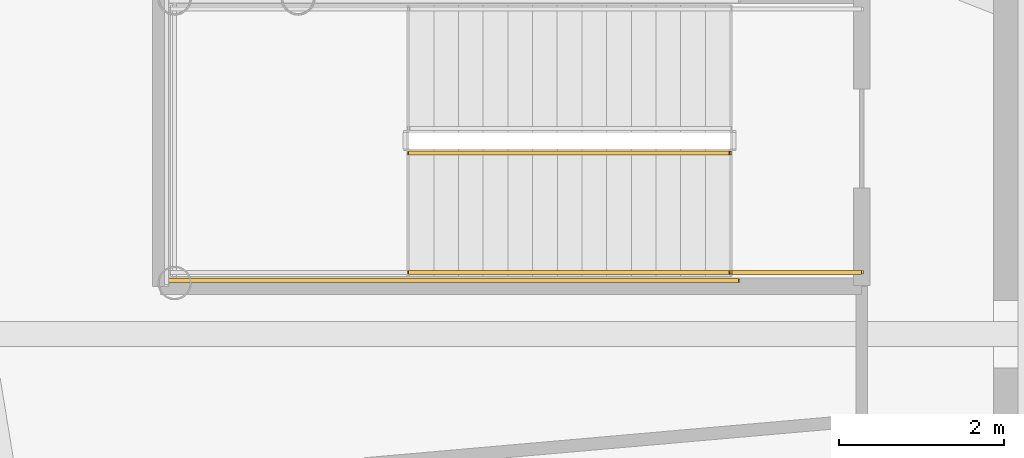
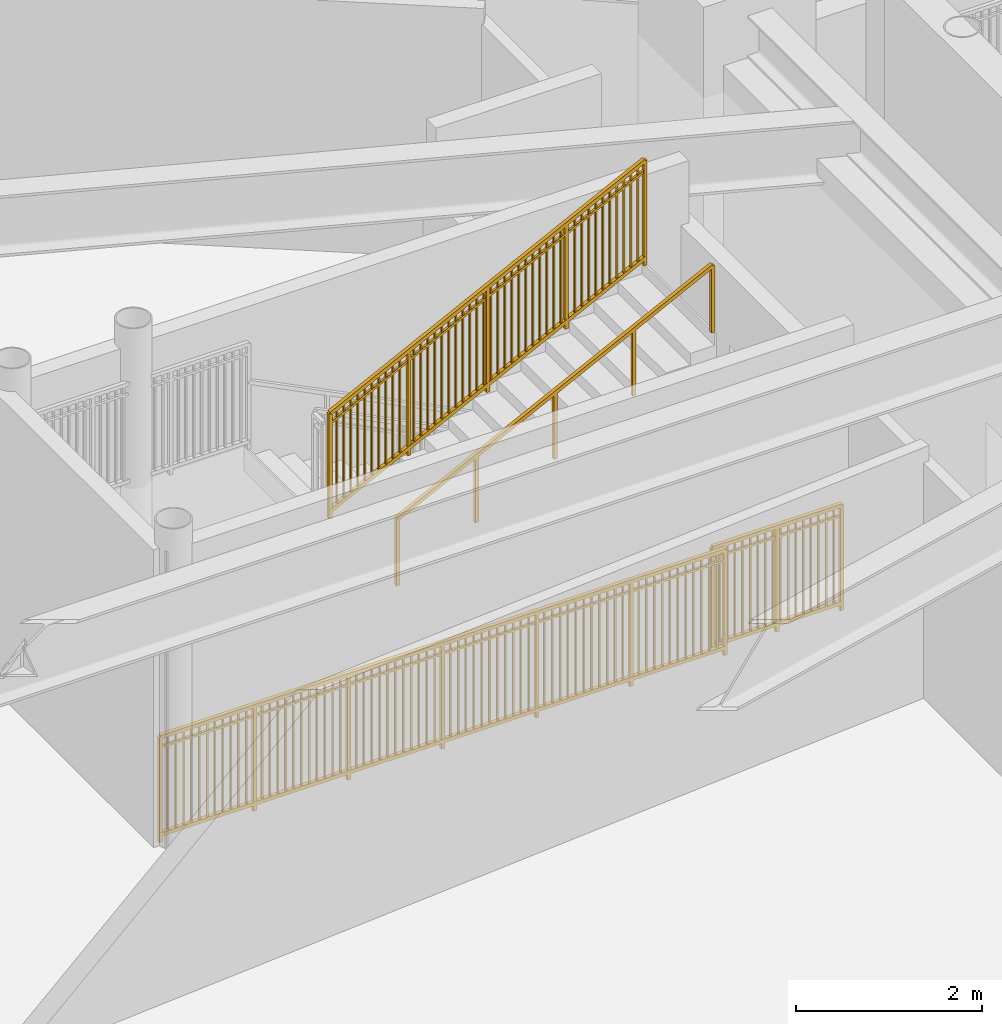
# One storey, part 22 of 31: 4 railings.
"""IFC4 building model written with IfcOpenShell, lengths in metres."""

from ifc_helpers import new_model, si_unit, direction, frame, origin, origin_2d, place, context, subcontext, project, spatial, rectangle, extrude, source, transform, mapped, material, type_object, element, save


model = new_model("IFC4")

# Units and contexts
model_context = context("Model", 3, precision=1e-05, world=origin(), true_north=direction((0.0, 1.0)))
body_context = subcontext(model_context, "Body", "Model", "MODEL_VIEW")
ifc_project = project(units=[si_unit("LENGTHUNIT", "METRE"), si_unit("AREAUNIT", "SQUARE_METRE"), si_unit("VOLUMEUNIT", "CUBIC_METRE"), si_unit("PLANEANGLEUNIT", "RADIAN"), si_unit("MASSUNIT", "GRAM", prefix="KILO")], contexts=[model_context])

# Site, building, storey
site_placement = place(None, origin())
site = spatial("IfcSite", under=ifc_project, at=site_placement, CompositionType="ELEMENT")
building_placement = place(site_placement, origin())
building = spatial("IfcBuilding", under=site, at=building_placement, Name="Linh Dai School and Residence Tower", CompositionType="ELEMENT")
storey_placement = place(building_placement, frame((0.0, 0.0, 6.0)))
storey = spatial("IfcBuildingStorey", under=building, at=storey_placement, Name="L01", CompositionType="ELEMENT", Elevation=6.0)

# Railings
ifc_material_1 = material(Name="Structural Steel S355JR", Category="steel")
railing_type_1 = type_object("IfcRailingType", Name="RL-ST-GUARD-1400", PredefinedType="GUARDRAIL", material=ifc_material_1)
shared_shape_1 = source(origin(), body_context, "Body", "SweptSolid", [
    extrude(rectangle(XDim=0.048095703125, YDim=0.048095703125, at=origin_2d()), frame((0.0, 0.0, 1.3759765625), z_axis=(-1.0, 0.0, 0.0), x_axis=(0.0, -1.0, 0.0)), (0.0, 0.0, 1.0), 1.60009765625),
    extrude(rectangle(XDim=0.048095703125, YDim=0.048095703125, at=origin_2d()), frame((0.0, 0.0, 0.10009765625), z_axis=(-1.0, 0.0, 0.0), x_axis=(0.0, -1.0, 0.0)), (0.0, 0.0, 1.0), 1.60009765625),
    extrude(rectangle(XDim=0.030029296875, YDim=0.030029296875, at=origin_2d()), frame((0.0, 0.0, 1.239990234375), z_axis=(-1.0, 0.0, 0.0), x_axis=(0.0, -1.0, 0.0)), (0.0, 0.0, 1.0), 1.60009765625),
    extrude(rectangle(XDim=0.02001953125, YDim=0.02001953125, at=origin_2d()), frame((-0.09423828125, 0.0, 0.10009765625)), (0.0, 0.0, 1.0), 1.251708984375),
    extrude(rectangle(XDim=0.02001953125, YDim=0.02001953125, at=origin_2d()), frame((-0.188232421875, 0.0, 0.10009765625)), (0.0, 0.0, 1.0), 1.251708984375),
    extrude(rectangle(XDim=0.02001953125, YDim=0.02001953125, at=origin_2d()), frame((-0.282470703125, 0.0, 0.10009765625)), (0.0, 0.0, 1.0), 1.251708984375),
    extrude(rectangle(XDim=0.02001953125, YDim=0.02001953125, at=origin_2d()), frame((-0.37646484375, 0.0, 0.10009765625)), (0.0, 0.0, 1.0), 1.251708984375),
    extrude(rectangle(XDim=0.02001953125, YDim=0.02001953125, at=origin_2d()), frame((-0.470703125, 0.0, 0.10009765625)), (0.0, 0.0, 1.0), 1.251708984375),
    extrude(rectangle(XDim=0.02001953125, YDim=0.02001953125, at=origin_2d()), frame((-0.564697265625, 0.0, 0.10009765625)), (0.0, 0.0, 1.0), 1.251708984375),
    extrude(rectangle(XDim=0.02001953125, YDim=0.02001953125, at=origin_2d()), frame((-0.658935546875, 0.0, 0.10009765625)), (0.0, 0.0, 1.0), 1.251708984375),
    extrude(rectangle(XDim=0.02001953125, YDim=0.02001953125, at=origin_2d()), frame((-0.7529296875, 0.0, 0.10009765625)), (0.0, 0.0, 1.0), 1.251708984375),
    extrude(rectangle(XDim=0.02001953125, YDim=0.02001953125, at=origin_2d()), frame((-0.84716796875, 0.0, 0.10009765625)), (0.0, 0.0, 1.0), 1.251708984375),
    extrude(rectangle(XDim=0.02001953125, YDim=0.02001953125, at=origin_2d()), frame((-0.941162109375, 0.0, 0.10009765625)), (0.0, 0.0, 1.0), 1.251708984375),
    extrude(rectangle(XDim=0.02001953125, YDim=0.02001953125, at=origin_2d()), frame((-1.035400390625, 0.0, 0.10009765625)), (0.0, 0.0, 1.0), 1.251708984375),
    extrude(rectangle(XDim=0.02001953125, YDim=0.02001953125, at=origin_2d()), frame((-1.12939453125, 0.0, 0.10009765625)), (0.0, 0.0, 1.0), 1.251708984375),
    extrude(rectangle(XDim=0.02001953125, YDim=0.02001953125, at=origin_2d()), frame((-1.2236328125, 0.0, 0.10009765625)), (0.0, 0.0, 1.0), 1.251708984375),
    extrude(rectangle(XDim=0.02001953125, YDim=0.02001953125, at=origin_2d()), frame((-1.317626953125, 0.0, 0.10009765625)), (0.0, 0.0, 1.0), 1.251708984375),
    extrude(rectangle(XDim=0.02001953125, YDim=0.02001953125, at=origin_2d()), frame((-1.411865234375, 0.0, 0.10009765625)), (0.0, 0.0, 1.0), 1.251708984375),
    extrude(rectangle(XDim=0.02001953125, YDim=0.02001953125, at=origin_2d()), frame((-1.505859375, 0.0, 0.10009765625)), (0.0, 0.0, 1.0), 1.251708984375),
    extrude(rectangle(XDim=0.0419921875, YDim=0.0419921875, at=origin_2d()), origin(), (0.0, 0.0, 1.0), 1.3759765625),
    extrude(rectangle(XDim=0.0419921875, YDim=0.0419921875, at=origin_2d()), frame((-0.800048828125, 0.0, 0.0)), (0.0, 0.0, 1.0), 1.3759765625),
    extrude(rectangle(XDim=0.0419921875, YDim=0.0419921875, at=origin_2d()), frame((-1.60009765625, 0.0, 0.0)), (0.0, 0.0, 1.0), 1.3759765625),
])
railing_1_placement = place(storey_placement, frame((24.0, 27.75, 0.0)))
element("IfcRailing", 1, at=railing_1_placement, inside=storey, type_object=railing_type_1, Name="L01 STS1 stair guard 9", PredefinedType="GUARDRAIL", context=body_context, shape_type="MappedRepresentation", body=[
    mapped(shared_shape_1, transform((0.0, 0.0, 0.0), x_axis=(1.0, 0.0, 0.0), y_axis=(0.0, 1.0, 0.0), z_axis=(0.0, 0.0, 1.0), scale=1.0)),
])
shared_shape_2 = source(origin(), body_context, "Body", "SweptSolid", [
    extrude(rectangle(XDim=0.048095703125, YDim=0.048095703125, at=origin_2d()), frame((0.0, 0.0, 1.3759765625), z_axis=(0.894427191, 0.0, 0.4472135955), x_axis=(0.0, 1.0, 0.0)), (0.0, 0.0, 1.0), 4.360107421875),
    extrude(rectangle(XDim=0.048095703125, YDim=0.048095703125, at=origin_2d()), frame((0.0, 0.0, 0.10009765625), z_axis=(0.894427191, 0.0, 0.4472135955), x_axis=(0.0, 1.0, 0.0)), (0.0, 0.0, 1.0), 4.360107421875),
    extrude(rectangle(XDim=0.030029296875, YDim=0.030029296875, at=origin_2d()), frame((0.0, 0.0, 1.239990234375), z_axis=(0.894427191, 0.0, 0.4472135955), x_axis=(0.0, 1.0, 0.0)), (0.0, 0.0, 1.0), 4.360107421875),
    extrude(rectangle(XDim=0.02001953125, YDim=0.02001953125, at=origin_2d()), frame((0.086669921875, 0.0, 0.143310546875)), (0.0, 0.0, 1.0), 1.251708984375),
    extrude(rectangle(XDim=0.02001953125, YDim=0.02001953125, at=origin_2d()), frame((0.17333984375, 0.0, 0.186767578125)), (0.0, 0.0, 1.0), 1.251708984375),
    extrude(rectangle(XDim=0.02001953125, YDim=0.02001953125, at=origin_2d()), frame((0.260009765625, 0.0, 0.22998046875)), (0.0, 0.0, 1.0), 1.251708984375),
    extrude(rectangle(XDim=0.02001953125, YDim=0.02001953125, at=origin_2d()), frame((0.3466796875, 0.0, 0.2734375)), (0.0, 0.0, 1.0), 1.251708984375),
    extrude(rectangle(XDim=0.02001953125, YDim=0.02001953125, at=origin_2d()), frame((0.433349609375, 0.0, 0.316650390625)), (0.0, 0.0, 1.0), 1.251708984375),
    extrude(rectangle(XDim=0.02001953125, YDim=0.02001953125, at=origin_2d()), frame((0.52001953125, 0.0, 0.360107421875)), (0.0, 0.0, 1.0), 1.251708984375),
    extrude(rectangle(XDim=0.02001953125, YDim=0.02001953125, at=origin_2d()), frame((0.606689453125, 0.0, 0.4033203125)), (0.0, 0.0, 1.0), 1.251708984375),
    extrude(rectangle(XDim=0.02001953125, YDim=0.02001953125, at=origin_2d()), frame((0.693359375, 0.0, 0.44677734375)), (0.0, 0.0, 1.0), 1.251708984375),
    extrude(rectangle(XDim=0.02001953125, YDim=0.02001953125, at=origin_2d()), frame((0.780029296875, 0.0, 0.489990234375)), (0.0, 0.0, 1.0), 1.251708984375),
    extrude(rectangle(XDim=0.02001953125, YDim=0.02001953125, at=origin_2d()), frame((0.86669921875, 0.0, 0.533447265625)), (0.0, 0.0, 1.0), 1.251708984375),
    extrude(rectangle(XDim=0.02001953125, YDim=0.02001953125, at=origin_2d()), frame((1.0400390625, 0.0, 0.6201171875)), (0.0, 0.0, 1.0), 1.251708984375),
    extrude(rectangle(XDim=0.02001953125, YDim=0.02001953125, at=origin_2d()), frame((1.126708984375, 0.0, 0.663330078125)), (0.0, 0.0, 1.0), 1.251708984375),
    extrude(rectangle(XDim=0.02001953125, YDim=0.02001953125, at=origin_2d()), frame((1.21337890625, 0.0, 0.706787109375)), (0.0, 0.0, 1.0), 1.251708984375),
    extrude(rectangle(XDim=0.02001953125, YDim=0.02001953125, at=origin_2d()), frame((1.300048828125, 0.0, 0.75)), (0.0, 0.0, 1.0), 1.251708984375),
    extrude(rectangle(XDim=0.02001953125, YDim=0.02001953125, at=origin_2d()), frame((1.38671875, 0.0, 0.79345703125)), (0.0, 0.0, 1.0), 1.251708984375),
    extrude(rectangle(XDim=0.02001953125, YDim=0.02001953125, at=origin_2d()), frame((1.473388671875, 0.0, 0.836669921875)), (0.0, 0.0, 1.0), 1.251708984375),
    extrude(rectangle(XDim=0.02001953125, YDim=0.02001953125, at=origin_2d()), frame((1.56005859375, 0.0, 0.880126953125)), (0.0, 0.0, 1.0), 1.251708984375),
    extrude(rectangle(XDim=0.02001953125, YDim=0.02001953125, at=origin_2d()), frame((1.646728515625, 0.0, 0.92333984375)), (0.0, 0.0, 1.0), 1.251708984375),
    extrude(rectangle(XDim=0.02001953125, YDim=0.02001953125, at=origin_2d()), frame((1.7333984375, 0.0, 0.966796875)), (0.0, 0.0, 1.0), 1.251708984375),
    extrude(rectangle(XDim=0.02001953125, YDim=0.02001953125, at=origin_2d()), frame((1.820068359375, 0.0, 1.010009765625)), (0.0, 0.0, 1.0), 1.251708984375),
    extrude(rectangle(XDim=0.02001953125, YDim=0.02001953125, at=origin_2d()), frame((1.90673828125, 0.0, 1.053466796875)), (0.0, 0.0, 1.0), 1.251708984375),
    extrude(rectangle(XDim=0.02001953125, YDim=0.02001953125, at=origin_2d()), frame((1.9931640625, 0.0, 1.0966796875)), (0.0, 0.0, 1.0), 1.251708984375),
    extrude(rectangle(XDim=0.02001953125, YDim=0.02001953125, at=origin_2d()), frame((2.079833984375, 0.0, 1.14013671875)), (0.0, 0.0, 1.0), 1.251708984375),
    extrude(rectangle(XDim=0.02001953125, YDim=0.02001953125, at=origin_2d()), frame((2.16650390625, 0.0, 1.183349609375)), (0.0, 0.0, 1.0), 1.251708984375),
    extrude(rectangle(XDim=0.02001953125, YDim=0.02001953125, at=origin_2d()), frame((2.253173828125, 0.0, 1.226806640625)), (0.0, 0.0, 1.0), 1.251708984375),
    extrude(rectangle(XDim=0.02001953125, YDim=0.02001953125, at=origin_2d()), frame((2.33984375, 0.0, 1.27001953125)), (0.0, 0.0, 1.0), 1.251708984375),
    extrude(rectangle(XDim=0.02001953125, YDim=0.02001953125, at=origin_2d()), frame((2.426513671875, 0.0, 1.3134765625)), (0.0, 0.0, 1.0), 1.251708984375),
    extrude(rectangle(XDim=0.02001953125, YDim=0.02001953125, at=origin_2d()), frame((2.51318359375, 0.0, 1.356689453125)), (0.0, 0.0, 1.0), 1.251708984375),
    extrude(rectangle(XDim=0.02001953125, YDim=0.02001953125, at=origin_2d()), frame((2.599853515625, 0.0, 1.400146484375)), (0.0, 0.0, 1.0), 1.251708984375),
    extrude(rectangle(XDim=0.02001953125, YDim=0.02001953125, at=origin_2d()), frame((2.6865234375, 0.0, 1.443359375)), (0.0, 0.0, 1.0), 1.251708984375),
    extrude(rectangle(XDim=0.02001953125, YDim=0.02001953125, at=origin_2d()), frame((2.773193359375, 0.0, 1.48681640625)), (0.0, 0.0, 1.0), 1.251708984375),
    extrude(rectangle(XDim=0.02001953125, YDim=0.02001953125, at=origin_2d()), frame((2.85986328125, 0.0, 1.530029296875)), (0.0, 0.0, 1.0), 1.251708984375),
    extrude(rectangle(XDim=0.02001953125, YDim=0.02001953125, at=origin_2d()), frame((3.033203125, 0.0, 1.61669921875)), (0.0, 0.0, 1.0), 1.251708984375),
    extrude(rectangle(XDim=0.02001953125, YDim=0.02001953125, at=origin_2d()), frame((3.119873046875, 0.0, 1.66015625)), (0.0, 0.0, 1.0), 1.251708984375),
    extrude(rectangle(XDim=0.02001953125, YDim=0.02001953125, at=origin_2d()), frame((3.20654296875, 0.0, 1.703369140625)), (0.0, 0.0, 1.0), 1.251708984375),
    extrude(rectangle(XDim=0.02001953125, YDim=0.02001953125, at=origin_2d()), frame((3.293212890625, 0.0, 1.746826171875)), (0.0, 0.0, 1.0), 1.251708984375),
    extrude(rectangle(XDim=0.02001953125, YDim=0.02001953125, at=origin_2d()), frame((3.3798828125, 0.0, 1.7900390625)), (0.0, 0.0, 1.0), 1.251708984375),
    extrude(rectangle(XDim=0.02001953125, YDim=0.02001953125, at=origin_2d()), frame((3.466552734375, 0.0, 1.83349609375)), (0.0, 0.0, 1.0), 1.251708984375),
    extrude(rectangle(XDim=0.02001953125, YDim=0.02001953125, at=origin_2d()), frame((3.55322265625, 0.0, 1.876708984375)), (0.0, 0.0, 1.0), 1.251708984375),
    extrude(rectangle(XDim=0.02001953125, YDim=0.02001953125, at=origin_2d()), frame((3.639892578125, 0.0, 1.920166015625)), (0.0, 0.0, 1.0), 1.251708984375),
    extrude(rectangle(XDim=0.02001953125, YDim=0.02001953125, at=origin_2d()), frame((3.7265625, 0.0, 1.96337890625)), (0.0, 0.0, 1.0), 1.251708984375),
    extrude(rectangle(XDim=0.02001953125, YDim=0.02001953125, at=origin_2d()), frame((3.813232421875, 0.0, 2.0068359375)), (0.0, 0.0, 1.0), 1.251708984375),
    extrude(rectangle(XDim=0.0419921875, YDim=0.0419921875, at=origin_2d()), origin(), (0.0, 0.0, 1.0), 1.3759765625),
    extrude(rectangle(XDim=0.0419921875, YDim=0.0419921875, at=origin_2d()), frame((0.97509765625, 0.0, 0.487548828125)), (0.0, 0.0, 1.0), 1.3759765625),
    extrude(rectangle(XDim=0.0419921875, YDim=0.0419921875, at=origin_2d()), frame((1.949951171875, 0.0, 0.97509765625)), (0.0, 0.0, 1.0), 1.3759765625),
    extrude(rectangle(XDim=0.0419921875, YDim=0.0419921875, at=origin_2d()), frame((2.9248046875, 0.0, 1.46240234375)), (0.0, 0.0, 1.0), 1.3759765625),
    extrude(rectangle(XDim=0.0419921875, YDim=0.0419921875, at=origin_2d()), frame((3.89990234375, 0.0, 1.949951171875)), (0.0, 0.0, 1.0), 1.3759765625),
])
railing_2_placement = place(storey_placement, frame((18.5, 29.199951171875, 2.25)))
element("IfcRailing", 2, at=railing_2_placement, inside=storey, type_object=railing_type_1, Name="L01 STS1 stair guard 6", PredefinedType="GUARDRAIL", context=body_context, shape_type="MappedRepresentation", body=[
    mapped(shared_shape_2, transform((0.0, 0.0, 0.0), x_axis=(1.0, 0.0, 0.0), y_axis=(0.0, 1.0, 0.0), z_axis=(0.0, 0.0, 1.0), scale=1.0)),
])
shared_shape_3 = source(origin(), body_context, "Body", "SweptSolid", [
    extrude(rectangle(XDim=0.048095703125, YDim=0.048095703125, at=origin_2d()), frame((0.0, 0.0, 1.3759765625), z_axis=(-1.0, 0.0, 0.0), x_axis=(0.0, -1.0, 0.0)), (0.0, 0.0, 1.0), 7.0),
    extrude(rectangle(XDim=0.048095703125, YDim=0.048095703125, at=origin_2d()), frame((0.0, 0.0, 0.10009765625), z_axis=(-1.0, 0.0, 0.0), x_axis=(0.0, -1.0, 0.0)), (0.0, 0.0, 1.0), 7.0),
    extrude(rectangle(XDim=0.030029296875, YDim=0.030029296875, at=origin_2d()), frame((0.0, 0.0, 1.239990234375), z_axis=(-1.0, 0.0, 0.0), x_axis=(0.0, -1.0, 0.0)), (0.0, 0.0, 1.0), 7.0),
    extrude(rectangle(XDim=0.02001953125, YDim=0.02001953125, at=origin_2d()), frame((-0.09716796875, 0.0, 0.10009765625)), (0.0, 0.0, 1.0), 1.251708984375),
    extrude(rectangle(XDim=0.02001953125, YDim=0.02001953125, at=origin_2d()), frame((-0.1943359375, 0.0, 0.10009765625)), (0.0, 0.0, 1.0), 1.251708984375),
    extrude(rectangle(XDim=0.02001953125, YDim=0.02001953125, at=origin_2d()), frame((-0.291748046875, 0.0, 0.10009765625)), (0.0, 0.0, 1.0), 1.251708984375),
    extrude(rectangle(XDim=0.02001953125, YDim=0.02001953125, at=origin_2d()), frame((-0.388916015625, 0.0, 0.10009765625)), (0.0, 0.0, 1.0), 1.251708984375),
    extrude(rectangle(XDim=0.02001953125, YDim=0.02001953125, at=origin_2d()), frame((-0.486083984375, 0.0, 0.10009765625)), (0.0, 0.0, 1.0), 1.251708984375),
    extrude(rectangle(XDim=0.02001953125, YDim=0.02001953125, at=origin_2d()), frame((-0.583251953125, 0.0, 0.10009765625)), (0.0, 0.0, 1.0), 1.251708984375),
    extrude(rectangle(XDim=0.02001953125, YDim=0.02001953125, at=origin_2d()), frame((-0.6806640625, 0.0, 0.10009765625)), (0.0, 0.0, 1.0), 1.251708984375),
    extrude(rectangle(XDim=0.02001953125, YDim=0.02001953125, at=origin_2d()), frame((-0.77783203125, 0.0, 0.10009765625)), (0.0, 0.0, 1.0), 1.251708984375),
    extrude(rectangle(XDim=0.02001953125, YDim=0.02001953125, at=origin_2d()), frame((-0.875, 0.0, 0.10009765625)), (0.0, 0.0, 1.0), 1.251708984375),
    extrude(rectangle(XDim=0.02001953125, YDim=0.02001953125, at=origin_2d()), frame((-0.97216796875, 0.0, 0.10009765625)), (0.0, 0.0, 1.0), 1.251708984375),
    extrude(rectangle(XDim=0.02001953125, YDim=0.02001953125, at=origin_2d()), frame((-1.0693359375, 0.0, 0.10009765625)), (0.0, 0.0, 1.0), 1.251708984375),
    extrude(rectangle(XDim=0.02001953125, YDim=0.02001953125, at=origin_2d()), frame((-1.263916015625, 0.0, 0.10009765625)), (0.0, 0.0, 1.0), 1.251708984375),
    extrude(rectangle(XDim=0.02001953125, YDim=0.02001953125, at=origin_2d()), frame((-1.361083984375, 0.0, 0.10009765625)), (0.0, 0.0, 1.0), 1.251708984375),
    extrude(rectangle(XDim=0.02001953125, YDim=0.02001953125, at=origin_2d()), frame((-1.458251953125, 0.0, 0.10009765625)), (0.0, 0.0, 1.0), 1.251708984375),
    extrude(rectangle(XDim=0.02001953125, YDim=0.02001953125, at=origin_2d()), frame((-1.5556640625, 0.0, 0.10009765625)), (0.0, 0.0, 1.0), 1.251708984375),
    extrude(rectangle(XDim=0.02001953125, YDim=0.02001953125, at=origin_2d()), frame((-1.65283203125, 0.0, 0.10009765625)), (0.0, 0.0, 1.0), 1.251708984375),
    extrude(rectangle(XDim=0.02001953125, YDim=0.02001953125, at=origin_2d()), frame((-1.75, 0.0, 0.10009765625)), (0.0, 0.0, 1.0), 1.251708984375),
    extrude(rectangle(XDim=0.02001953125, YDim=0.02001953125, at=origin_2d()), frame((-1.84716796875, 0.0, 0.10009765625)), (0.0, 0.0, 1.0), 1.251708984375),
    extrude(rectangle(XDim=0.02001953125, YDim=0.02001953125, at=origin_2d()), frame((-1.9443359375, 0.0, 0.10009765625)), (0.0, 0.0, 1.0), 1.251708984375),
    extrude(rectangle(XDim=0.02001953125, YDim=0.02001953125, at=origin_2d()), frame((-2.041748046875, 0.0, 0.10009765625)), (0.0, 0.0, 1.0), 1.251708984375),
    extrude(rectangle(XDim=0.02001953125, YDim=0.02001953125, at=origin_2d()), frame((-2.138916015625, 0.0, 0.10009765625)), (0.0, 0.0, 1.0), 1.251708984375),
    extrude(rectangle(XDim=0.02001953125, YDim=0.02001953125, at=origin_2d()), frame((-2.236083984375, 0.0, 0.10009765625)), (0.0, 0.0, 1.0), 1.251708984375),
    extrude(rectangle(XDim=0.02001953125, YDim=0.02001953125, at=origin_2d()), frame((-2.4306640625, 0.0, 0.10009765625)), (0.0, 0.0, 1.0), 1.251708984375),
    extrude(rectangle(XDim=0.02001953125, YDim=0.02001953125, at=origin_2d()), frame((-2.52783203125, 0.0, 0.10009765625)), (0.0, 0.0, 1.0), 1.251708984375),
    extrude(rectangle(XDim=0.02001953125, YDim=0.02001953125, at=origin_2d()), frame((-2.625, 0.0, 0.10009765625)), (0.0, 0.0, 1.0), 1.251708984375),
    extrude(rectangle(XDim=0.02001953125, YDim=0.02001953125, at=origin_2d()), frame((-2.72216796875, 0.0, 0.10009765625)), (0.0, 0.0, 1.0), 1.251708984375),
    extrude(rectangle(XDim=0.02001953125, YDim=0.02001953125, at=origin_2d()), frame((-2.8193359375, 0.0, 0.10009765625)), (0.0, 0.0, 1.0), 1.251708984375),
    extrude(rectangle(XDim=0.02001953125, YDim=0.02001953125, at=origin_2d()), frame((-2.916748046875, 0.0, 0.10009765625)), (0.0, 0.0, 1.0), 1.251708984375),
    extrude(rectangle(XDim=0.02001953125, YDim=0.02001953125, at=origin_2d()), frame((-3.013916015625, 0.0, 0.10009765625)), (0.0, 0.0, 1.0), 1.251708984375),
    extrude(rectangle(XDim=0.02001953125, YDim=0.02001953125, at=origin_2d()), frame((-3.111083984375, 0.0, 0.10009765625)), (0.0, 0.0, 1.0), 1.251708984375),
    extrude(rectangle(XDim=0.02001953125, YDim=0.02001953125, at=origin_2d()), frame((-3.208251953125, 0.0, 0.10009765625)), (0.0, 0.0, 1.0), 1.251708984375),
    extrude(rectangle(XDim=0.02001953125, YDim=0.02001953125, at=origin_2d()), frame((-3.3056640625, 0.0, 0.10009765625)), (0.0, 0.0, 1.0), 1.251708984375),
    extrude(rectangle(XDim=0.02001953125, YDim=0.02001953125, at=origin_2d()), frame((-3.40283203125, 0.0, 0.10009765625)), (0.0, 0.0, 1.0), 1.251708984375),
    extrude(rectangle(XDim=0.02001953125, YDim=0.02001953125, at=origin_2d()), frame((-3.59716796875, 0.0, 0.10009765625)), (0.0, 0.0, 1.0), 1.251708984375),
    extrude(rectangle(XDim=0.02001953125, YDim=0.02001953125, at=origin_2d()), frame((-3.6943359375, 0.0, 0.10009765625)), (0.0, 0.0, 1.0), 1.251708984375),
    extrude(rectangle(XDim=0.02001953125, YDim=0.02001953125, at=origin_2d()), frame((-3.791748046875, 0.0, 0.10009765625)), (0.0, 0.0, 1.0), 1.251708984375),
    extrude(rectangle(XDim=0.02001953125, YDim=0.02001953125, at=origin_2d()), frame((-3.888916015625, 0.0, 0.10009765625)), (0.0, 0.0, 1.0), 1.251708984375),
    extrude(rectangle(XDim=0.02001953125, YDim=0.02001953125, at=origin_2d()), frame((-3.986083984375, 0.0, 0.10009765625)), (0.0, 0.0, 1.0), 1.251708984375),
    extrude(rectangle(XDim=0.02001953125, YDim=0.02001953125, at=origin_2d()), frame((-4.083251953125, 0.0, 0.10009765625)), (0.0, 0.0, 1.0), 1.251708984375),
    extrude(rectangle(XDim=0.02001953125, YDim=0.02001953125, at=origin_2d()), frame((-4.1806640625, 0.0, 0.10009765625)), (0.0, 0.0, 1.0), 1.251708984375),
    extrude(rectangle(XDim=0.02001953125, YDim=0.02001953125, at=origin_2d()), frame((-4.27783203125, 0.0, 0.10009765625)), (0.0, 0.0, 1.0), 1.251708984375),
    extrude(rectangle(XDim=0.02001953125, YDim=0.02001953125, at=origin_2d()), frame((-4.375, 0.0, 0.10009765625)), (0.0, 0.0, 1.0), 1.251708984375),
    extrude(rectangle(XDim=0.02001953125, YDim=0.02001953125, at=origin_2d()), frame((-4.47216796875, 0.0, 0.10009765625)), (0.0, 0.0, 1.0), 1.251708984375),
    extrude(rectangle(XDim=0.02001953125, YDim=0.02001953125, at=origin_2d()), frame((-4.5693359375, 0.0, 0.10009765625)), (0.0, 0.0, 1.0), 1.251708984375),
    extrude(rectangle(XDim=0.02001953125, YDim=0.02001953125, at=origin_2d()), frame((-4.763916015625, 0.0, 0.10009765625)), (0.0, 0.0, 1.0), 1.251708984375),
    extrude(rectangle(XDim=0.02001953125, YDim=0.02001953125, at=origin_2d()), frame((-4.861083984375, 0.0, 0.10009765625)), (0.0, 0.0, 1.0), 1.251708984375),
    extrude(rectangle(XDim=0.02001953125, YDim=0.02001953125, at=origin_2d()), frame((-4.958251953125, 0.0, 0.10009765625)), (0.0, 0.0, 1.0), 1.251708984375),
    extrude(rectangle(XDim=0.02001953125, YDim=0.02001953125, at=origin_2d()), frame((-5.0556640625, 0.0, 0.10009765625)), (0.0, 0.0, 1.0), 1.251708984375),
    extrude(rectangle(XDim=0.02001953125, YDim=0.02001953125, at=origin_2d()), frame((-5.15283203125, 0.0, 0.10009765625)), (0.0, 0.0, 1.0), 1.251708984375),
    extrude(rectangle(XDim=0.02001953125, YDim=0.02001953125, at=origin_2d()), frame((-5.25, 0.0, 0.10009765625)), (0.0, 0.0, 1.0), 1.251708984375),
    extrude(rectangle(XDim=0.02001953125, YDim=0.02001953125, at=origin_2d()), frame((-5.34716796875, 0.0, 0.10009765625)), (0.0, 0.0, 1.0), 1.251708984375),
    extrude(rectangle(XDim=0.02001953125, YDim=0.02001953125, at=origin_2d()), frame((-5.4443359375, 0.0, 0.10009765625)), (0.0, 0.0, 1.0), 1.251708984375),
    extrude(rectangle(XDim=0.02001953125, YDim=0.02001953125, at=origin_2d()), frame((-5.541748046875, 0.0, 0.10009765625)), (0.0, 0.0, 1.0), 1.251708984375),
    extrude(rectangle(XDim=0.02001953125, YDim=0.02001953125, at=origin_2d()), frame((-5.638916015625, 0.0, 0.10009765625)), (0.0, 0.0, 1.0), 1.251708984375),
    extrude(rectangle(XDim=0.02001953125, YDim=0.02001953125, at=origin_2d()), frame((-5.736083984375, 0.0, 0.10009765625)), (0.0, 0.0, 1.0), 1.251708984375),
    extrude(rectangle(XDim=0.02001953125, YDim=0.02001953125, at=origin_2d()), frame((-5.9306640625, 0.0, 0.10009765625)), (0.0, 0.0, 1.0), 1.251708984375),
    extrude(rectangle(XDim=0.02001953125, YDim=0.02001953125, at=origin_2d()), frame((-6.02783203125, 0.0, 0.10009765625)), (0.0, 0.0, 1.0), 1.251708984375),
    extrude(rectangle(XDim=0.02001953125, YDim=0.02001953125, at=origin_2d()), frame((-6.125, 0.0, 0.10009765625)), (0.0, 0.0, 1.0), 1.251708984375),
    extrude(rectangle(XDim=0.02001953125, YDim=0.02001953125, at=origin_2d()), frame((-6.22216796875, 0.0, 0.10009765625)), (0.0, 0.0, 1.0), 1.251708984375),
    extrude(rectangle(XDim=0.02001953125, YDim=0.02001953125, at=origin_2d()), frame((-6.3193359375, 0.0, 0.10009765625)), (0.0, 0.0, 1.0), 1.251708984375),
    extrude(rectangle(XDim=0.02001953125, YDim=0.02001953125, at=origin_2d()), frame((-6.416748046875, 0.0, 0.10009765625)), (0.0, 0.0, 1.0), 1.251708984375),
    extrude(rectangle(XDim=0.02001953125, YDim=0.02001953125, at=origin_2d()), frame((-6.513916015625, 0.0, 0.10009765625)), (0.0, 0.0, 1.0), 1.251708984375),
    extrude(rectangle(XDim=0.02001953125, YDim=0.02001953125, at=origin_2d()), frame((-6.611083984375, 0.0, 0.10009765625)), (0.0, 0.0, 1.0), 1.251708984375),
    extrude(rectangle(XDim=0.02001953125, YDim=0.02001953125, at=origin_2d()), frame((-6.708251953125, 0.0, 0.10009765625)), (0.0, 0.0, 1.0), 1.251708984375),
    extrude(rectangle(XDim=0.02001953125, YDim=0.02001953125, at=origin_2d()), frame((-6.8056640625, 0.0, 0.10009765625)), (0.0, 0.0, 1.0), 1.251708984375),
    extrude(rectangle(XDim=0.02001953125, YDim=0.02001953125, at=origin_2d()), frame((-6.90283203125, 0.0, 0.10009765625)), (0.0, 0.0, 1.0), 1.251708984375),
    extrude(rectangle(XDim=0.0419921875, YDim=0.0419921875, at=origin_2d()), origin(), (0.0, 0.0, 1.0), 1.3759765625),
    extrude(rectangle(XDim=0.0419921875, YDim=0.0419921875, at=origin_2d()), frame((-1.166748046875, 0.0, 0.0)), (0.0, 0.0, 1.0), 1.3759765625),
    extrude(rectangle(XDim=0.0419921875, YDim=0.0419921875, at=origin_2d()), frame((-2.333251953125, 0.0, 0.0)), (0.0, 0.0, 1.0), 1.3759765625),
    extrude(rectangle(XDim=0.0419921875, YDim=0.0419921875, at=origin_2d()), frame((-3.5, 0.0, 0.0)), (0.0, 0.0, 1.0), 1.3759765625),
    extrude(rectangle(XDim=0.0419921875, YDim=0.0419921875, at=origin_2d()), frame((-4.666748046875, 0.0, 0.0)), (0.0, 0.0, 1.0), 1.3759765625),
    extrude(rectangle(XDim=0.0419921875, YDim=0.0419921875, at=origin_2d()), frame((-5.833251953125, 0.0, 0.0)), (0.0, 0.0, 1.0), 1.3759765625),
    extrude(rectangle(XDim=0.0419921875, YDim=0.0419921875, at=origin_2d()), frame((-7.0, 0.0, 0.0)), (0.0, 0.0, 1.0), 1.3759765625),
])
railing_3_placement = place(storey_placement, frame((22.5, 27.64990234375, 0.0)))
element("IfcRailing", 3, at=railing_3_placement, inside=storey, type_object=railing_type_1, Name="L01 STS1 stair guard 11", PredefinedType="GUARDRAIL", context=body_context, shape_type="MappedRepresentation", body=[
    mapped(shared_shape_3, transform((0.0, 0.0, 0.0), x_axis=(1.0, 0.0, 0.0), y_axis=(0.0, 1.0, 0.0), z_axis=(0.0, 0.0, 1.0), scale=1.0)),
])
ifc_material_2 = material(Name="Brushed Stainless Steel Handrail", Category="steel")
railing_type_2 = type_object("IfcRailingType", Name="RL-ST-HANDRAIL-900", PredefinedType="HANDRAIL", material=ifc_material_2)
shared_shape_4 = source(origin(), body_context, "Body", "SweptSolid", [
    extrude(rectangle(XDim=0.048095703125, YDim=0.048095703125, at=origin_2d()), frame((0.0, 0.0, 0.8759765625), z_axis=(0.894427191, 0.0, 0.4472135955), x_axis=(0.0, 1.0, 0.0)), (0.0, 0.0, 1.0), 4.360107421875),
    extrude(rectangle(XDim=0.0419921875, YDim=0.0419921875, at=origin_2d()), origin(), (0.0, 0.0, 1.0), 0.8759765625),
    extrude(rectangle(XDim=0.0419921875, YDim=0.0419921875, at=origin_2d()), frame((0.97509765625, 0.0, 0.487548828125)), (0.0, 0.0, 1.0), 0.8759765625),
    extrude(rectangle(XDim=0.0419921875, YDim=0.0419921875, at=origin_2d()), frame((1.949951171875, 0.0, 0.97509765625)), (0.0, 0.0, 1.0), 0.8759765625),
    extrude(rectangle(XDim=0.0419921875, YDim=0.0419921875, at=origin_2d()), frame((2.9248046875, 0.0, 1.46240234375)), (0.0, 0.0, 1.0), 0.8759765625),
    extrude(rectangle(XDim=0.0419921875, YDim=0.0419921875, at=origin_2d()), frame((3.89990234375, 0.0, 1.949951171875)), (0.0, 0.0, 1.0), 0.8759765625),
])
railing_4_placement = place(storey_placement, frame((18.5, 27.75, 2.25)))
element("IfcRailing", 4, at=railing_4_placement, inside=storey, type_object=railing_type_2, Name="L01 STS1 stair handrail 2", PredefinedType="HANDRAIL", context=body_context, shape_type="MappedRepresentation", body=[
    mapped(shared_shape_4, transform((0.0, 0.0, 0.0), x_axis=(1.0, 0.0, 0.0), y_axis=(0.0, 1.0, 0.0), z_axis=(0.0, 0.0, 1.0), scale=1.0)),
])

save(model, "model.ifc")
